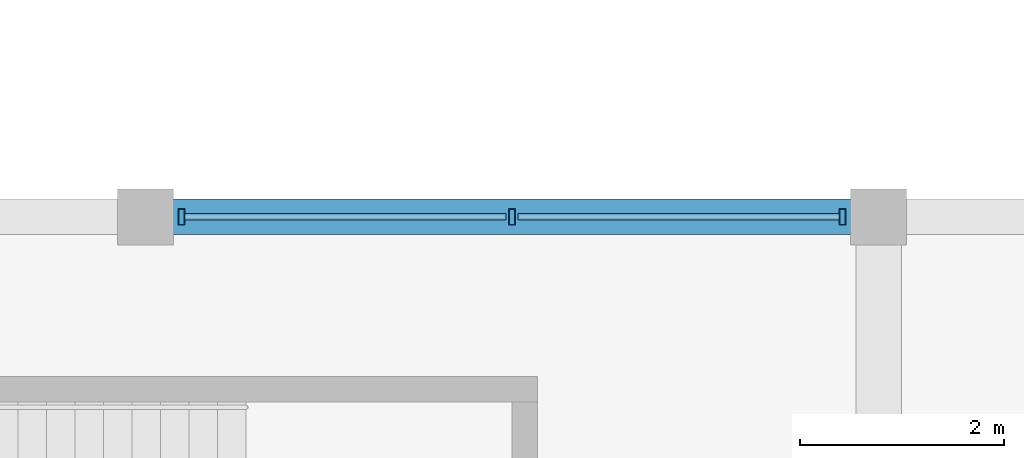
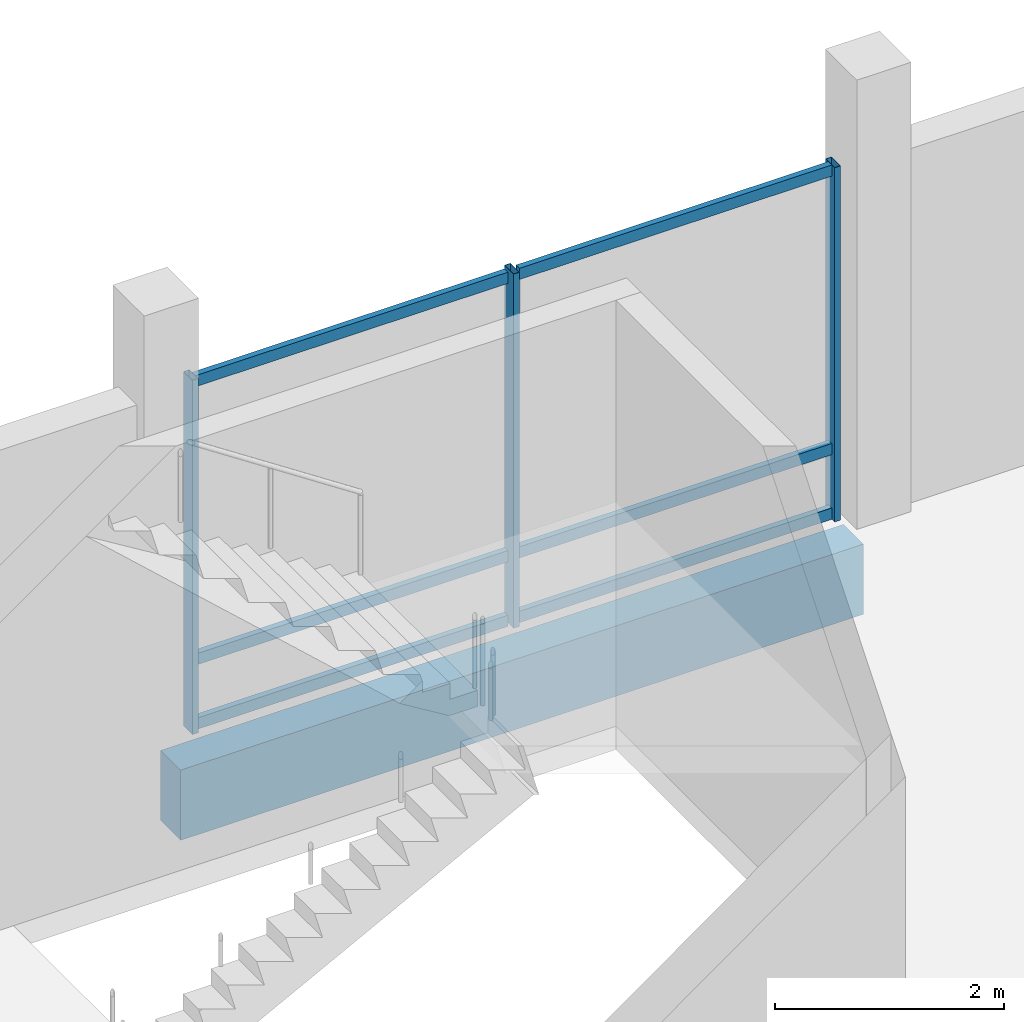
# One storey, part 19 of 116: 9 members, 1 beam, 1 element without a shape of its own.
"""IFC4 building model written with IfcOpenShell, lengths in metres."""

from ifc_helpers import new_model, si_unit, direction, frame, origin, origin_2d, place, context, subcontext, project, spatial, rectangle, hollow_rectangle, extrude, material, material_profile, profile_set, type_object, element, aggregate, save


model = new_model("IFC4")

# Units and contexts
model_context = context("Model", 3, precision=1e-05, world=origin(), true_north=direction((0.0, 1.0)))
body_context = subcontext(model_context, "Body", "Model", "MODEL_VIEW")
ifc_project = project(units=[si_unit("LENGTHUNIT", "METRE"), si_unit("AREAUNIT", "SQUARE_METRE"), si_unit("VOLUMEUNIT", "CUBIC_METRE"), si_unit("PLANEANGLEUNIT", "RADIAN"), si_unit("MASSUNIT", "GRAM", prefix="KILO")], contexts=[model_context])

# Site, building, storey
site_placement = place(None, origin())
site = spatial("IfcSite", under=ifc_project, at=site_placement, CompositionType="ELEMENT")
building_placement = place(site_placement, origin())
building = spatial("IfcBuilding", under=site, at=building_placement, Name="Cendralis Lancet Convention Centre", CompositionType="ELEMENT")
storey_placement = place(building_placement, frame((0.0, 0.0, 15.0)))
storey = spatial("IfcBuildingStorey", under=building, at=storey_placement, Name="L03", CompositionType="ELEMENT", Elevation=15.0)

# Curtain wall, members
ifc_material_1 = material(Name="Anodised bronze architectural aluminium", Category="aluminium")
curtain_wall_type = type_object("IfcCurtainWallType", Name="ARC-CW-CL02", PredefinedType="USERDEFINED", material=ifc_material_1)
curtain_wall_placement = place(storey_placement, origin())
curtain_wall = element("IfcCurtainWall", 1, at=curtain_wall_placement, inside=storey, type_object=curtain_wall_type, Name="L03 Curtain Wall CW-CL2 #177", ObjectType="CURTAIN WALL", PredefinedType="USERDEFINED")
ifc_material_profile_1 = material_profile(ifc_material_1, hollow_rectangle(XDim=0.06005859375, YDim=0.159912109375, WallThickness=0.00390625, at=origin_2d()), Name="AL-MULL 60x160x4.0")
ifc_profile_set_1 = profile_set([ifc_material_profile_1], Name="Anodised bronze architectural aluminium")
member_type_1 = type_object("IfcMemberType", Name="ARC-CW-ML01", PredefinedType="MULLION", material=ifc_profile_set_1)
member_1_placement = place(storey_placement, frame((72.35498046875, 36.0, 0.0), z_axis=(0.0, 0.0, 1.0), x_axis=(1.0, 0.0, 0.0)))
member_1 = element("IfcMember", 2, at=member_1_placement, type_object=member_type_1, Name="Mullion CW2-CW-CL2-L03-177-M0", PredefinedType="MULLION", context=body_context, shape_type="SweptSolid", body=[
    extrude(hollow_rectangle(XDim=0.06005859375, YDim=0.159912109375, WallThickness=0.00390625, at=origin_2d()), origin(), (0.0, 0.0, 1.0), 3.784912109375),
])
member_2_placement = place(storey_placement, frame((75.60009765625, 36.0, 0.0), z_axis=(0.0, 0.0, 1.0), x_axis=(1.0, 0.0, 0.0)))
member_2 = element("IfcMember", 3, at=member_2_placement, type_object=member_type_1, Name="Mullion CW2-CW-CL2-L03-177-M1", PredefinedType="MULLION", context=body_context, shape_type="SweptSolid", body=[
    extrude(hollow_rectangle(XDim=0.06005859375, YDim=0.159912109375, WallThickness=0.00390625, at=origin_2d()), origin(), (0.0, 0.0, 1.0), 3.784912109375),
])
member_3_placement = place(storey_placement, frame((78.844970703125, 36.0, 0.0), z_axis=(0.0, 0.0, 1.0), x_axis=(1.0, 0.0, 0.0)))
member_3 = element("IfcMember", 4, at=member_3_placement, type_object=member_type_1, Name="Mullion CW2-CW-CL2-L03-177-M2", PredefinedType="MULLION", context=body_context, shape_type="SweptSolid", body=[
    extrude(hollow_rectangle(XDim=0.06005859375, YDim=0.159912109375, WallThickness=0.00390625, at=origin_2d()), origin(), (0.0, 0.0, 1.0), 3.784912109375),
])
ifc_material_profile_2 = material_profile(ifc_material_1, hollow_rectangle(XDim=0.06005859375, YDim=0.1201171875, WallThickness=0.00390625, at=origin_2d()), Name="AL-TRAN 60x120x4.0")
ifc_profile_set_2 = profile_set([ifc_material_profile_2], Name="Anodised bronze architectural aluminium")
member_type_2 = type_object("IfcMemberType", Name="ARC-CW-TR01", PredefinedType="USERDEFINED", material=ifc_profile_set_2)
member_4_placement = place(storey_placement, frame((72.385009765625, 36.0, 0.06005859375), z_axis=(1.0, 0.0, 0.0), x_axis=(0.0, 1.0, 0.0)))
member_4 = element("IfcMember", 5, at=member_4_placement, type_object=member_type_2, Name="Transom CW2-CW-CL2-L03-177-T0BOT", ObjectType="TRANSOM", PredefinedType="USERDEFINED", context=body_context, shape_type="SweptSolid", body=[
    extrude(hollow_rectangle(XDim=0.06005859375, YDim=0.1201171875, WallThickness=0.00390625, at=origin_2d()), origin(), (0.0, 0.0, 1.0), 3.155029296875),
])
member_5_placement = place(storey_placement, frame((72.385009765625, 36.0, 0.75), z_axis=(1.0, 0.0, 0.0), x_axis=(0.0, 1.0, 0.0)))
member_5 = element("IfcMember", 6, at=member_5_placement, type_object=member_type_2, Name="Transom CW2-CW-CL2-L03-177-T0MID", ObjectType="TRANSOM", PredefinedType="USERDEFINED", context=body_context, shape_type="SweptSolid", body=[
    extrude(hollow_rectangle(XDim=0.06005859375, YDim=0.1201171875, WallThickness=0.00390625, at=origin_2d()), origin(), (0.0, 0.0, 1.0), 3.155029296875),
])
member_6_placement = place(storey_placement, frame((72.385009765625, 36.0, 3.72509765625), z_axis=(1.0, 0.0, 0.0), x_axis=(0.0, 1.0, 0.0)))
member_6 = element("IfcMember", 7, at=member_6_placement, type_object=member_type_2, Name="Transom CW2-CW-CL2-L03-177-T0TOP", ObjectType="TRANSOM", PredefinedType="USERDEFINED", context=body_context, shape_type="SweptSolid", body=[
    extrude(hollow_rectangle(XDim=0.06005859375, YDim=0.1201171875, WallThickness=0.00390625, at=origin_2d()), origin(), (0.0, 0.0, 1.0), 3.155029296875),
])
member_7_placement = place(storey_placement, frame((75.659912109375, 36.0, 0.06005859375), z_axis=(1.0, 0.0, 0.0), x_axis=(0.0, 1.0, 0.0)))
member_7 = element("IfcMember", 8, at=member_7_placement, type_object=member_type_2, Name="Transom CW2-CW-CL2-L03-177-T1BOT", ObjectType="TRANSOM", PredefinedType="USERDEFINED", context=body_context, shape_type="SweptSolid", body=[
    extrude(hollow_rectangle(XDim=0.06005859375, YDim=0.1201171875, WallThickness=0.00390625, at=origin_2d()), origin(), (0.0, 0.0, 1.0), 3.155029296875),
])
member_8_placement = place(storey_placement, frame((75.659912109375, 36.0, 0.75), z_axis=(1.0, 0.0, 0.0), x_axis=(0.0, 1.0, 0.0)))
member_8 = element("IfcMember", 9, at=member_8_placement, type_object=member_type_2, Name="Transom CW2-CW-CL2-L03-177-T1MID", ObjectType="TRANSOM", PredefinedType="USERDEFINED", context=body_context, shape_type="SweptSolid", body=[
    extrude(hollow_rectangle(XDim=0.06005859375, YDim=0.1201171875, WallThickness=0.00390625, at=origin_2d()), origin(), (0.0, 0.0, 1.0), 3.155029296875),
])
member_9_placement = place(storey_placement, frame((75.659912109375, 36.0, 3.72509765625), z_axis=(1.0, 0.0, 0.0), x_axis=(0.0, 1.0, 0.0)))
member_9 = element("IfcMember", 10, at=member_9_placement, type_object=member_type_2, Name="Transom CW2-CW-CL2-L03-177-T1TOP", ObjectType="TRANSOM", PredefinedType="USERDEFINED", context=body_context, shape_type="SweptSolid", body=[
    extrude(hollow_rectangle(XDim=0.06005859375, YDim=0.1201171875, WallThickness=0.00390625, at=origin_2d()), origin(), (0.0, 0.0, 1.0), 3.155029296875),
])
aggregate(curtain_wall, [member_1, member_2, member_3, member_4, member_5, member_6, member_7, member_8, member_9])

# Beam
ifc_material_2 = material(Name="Concrete G40 (C40/50)", Category="concrete")
ifc_material_profile_3 = material_profile(ifc_material_2, rectangle(XDim=0.35009765625, YDim=0.75, at=origin_2d()), Name="RCB 350x750")
ifc_profile_set_3 = profile_set([ifc_material_profile_3], Name="Concrete G40 (C40/50)")
beam_type = type_object("IfcBeamType", Name="STR-SP-SP01", PredefinedType="SPANDREL", material=ifc_profile_set_3)
beam_placement = place(storey_placement, frame((72.14990234375, 36.0, -0.635009765625), z_axis=(1.0, 0.0, 0.0), x_axis=(0.0, 1.0, 0.0)))
element("IfcBeam", 11, at=beam_placement, inside=storey, type_object=beam_type, Name="L03 Beam SP01 #0927", PredefinedType="SPANDREL", context=body_context, shape_type="SweptSolid", body=[
    extrude(rectangle(XDim=0.35009765625, YDim=0.75, at=origin_2d()), origin(), (0.0, 0.0, 1.0), 6.900146484375),
])

save(model, "model.ifc")
